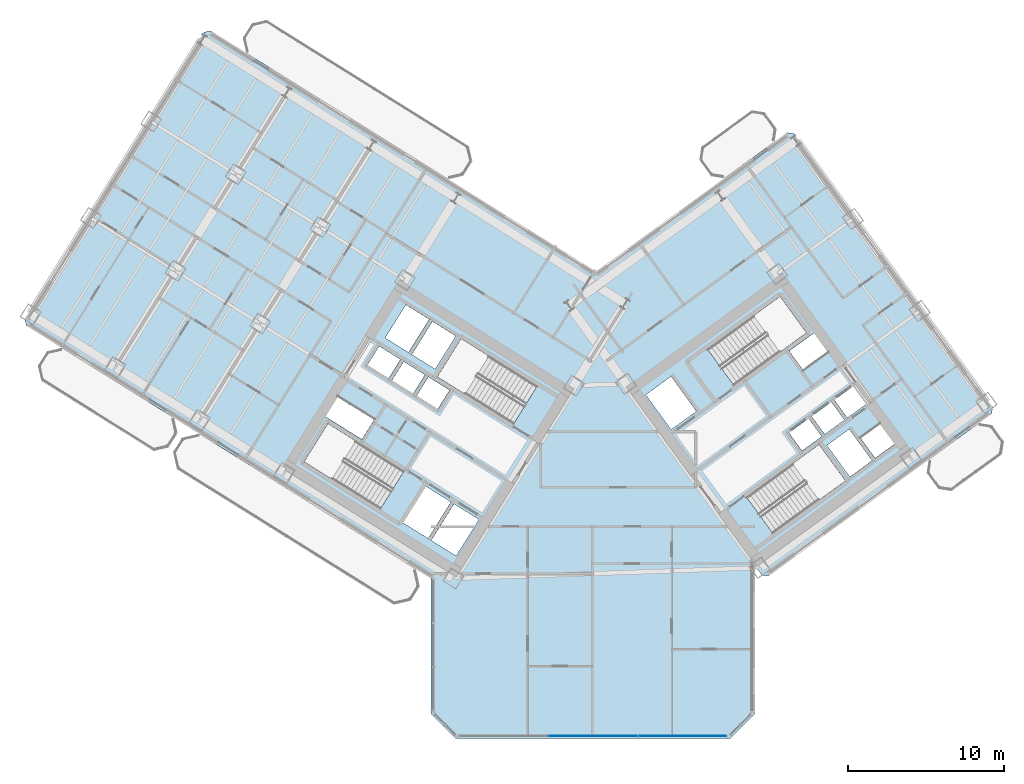
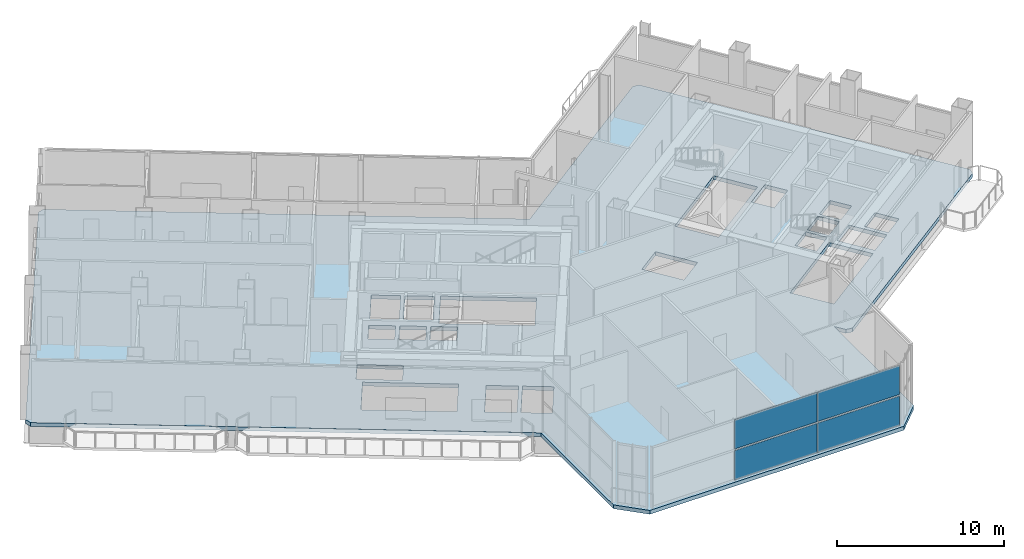
# One storey, part 10 of 22: 4 plates, 1 slab, 1 element without a shape of its own.
"""IFC4 building model written with IfcOpenShell, lengths in metres."""

from ifc_helpers import new_model, si_unit, direction, frame, origin, origin_2d, place, context, subcontext, project, spatial, polyline, rectangle, outline, extrude, source, transform, mapped, material, layer, layer_set, type_object, element, aggregate, save


model = new_model("IFC4")

# Units and contexts
model_context = context("Model", 3, precision=1e-05, world=origin(), true_north=direction((0.0, 1.0)))
body_context = subcontext(model_context, "Body", "Model", "MODEL_VIEW")
ifc_project = project(units=[si_unit("LENGTHUNIT", "METRE"), si_unit("AREAUNIT", "SQUARE_METRE"), si_unit("VOLUMEUNIT", "CUBIC_METRE"), si_unit("PLANEANGLEUNIT", "RADIAN"), si_unit("MASSUNIT", "GRAM", prefix="KILO")], contexts=[model_context])

# Site, building, storey
site_placement = place(None, origin())
site = spatial("IfcSite", under=ifc_project, at=site_placement, CompositionType="ELEMENT")
building_placement = place(site_placement, origin())
building = spatial("IfcBuilding", under=site, at=building_placement, Name="Tlacorven Tower", CompositionType="ELEMENT")
storey_placement = place(building_placement, frame((0.0, 0.0, 71.699951171875)))
storey = spatial("IfcBuildingStorey", under=building, at=storey_placement, Name="L18", CompositionType="ELEMENT", Elevation=71.699951171875)

# Slab
ifc_material_1 = material(Name="Concrete C50/60", Category="concrete")
ifc_layer_1 = layer(ifc_material_1, 0.280029296875)
ifc_layer_set_1 = layer_set([ifc_layer_1], Name="Concrete C50/60")
slab_type = type_object("IfcSlabType", Name="SL-WND-280", PredefinedType="FLOOR", material=ifc_layer_set_1)
slab_placement = place(storey_placement, frame((0.0, 0.0, -0.280029296875)))
element("IfcSlab", 1, at=slab_placement, inside=storey, type_object=slab_type, Name="L18 Boomerang Tower Floor Slab", PredefinedType="FLOOR", context=body_context, shape_type="SweptSolid", body=[
    extrude(outline(polyline([(52.39990234375, 3.39990234375), (50.800048828125, 1.800048828125), (33.199951171875, 1.800048828125), (31.60009765625, 3.39990234375), (31.60009765625, 12.09423828125), (5.62451171875, 28.32568359375), (5.529052734375, 28.739013671875), (17.0390625, 47.15869140625), (17.452392578125, 47.254150390625), (42.19970703125, 31.790283203125), (54.481689453125, 40.713623046875), (54.90087890625, 40.647216796875), (67.66748046875, 23.075439453125), (67.60107421875, 22.656494140625), (53.265380859375, 12.24072265625), (52.846435546875, 12.30712890625), (52.39990234375, 12.921630859375), (52.39990234375, 3.39990234375)]), holes=[polyline([(29.865478515625, 18.979736328125), (24.9892578125, 22.02685546875), (23.463134765625, 19.58447265625), (28.33935546875, 16.537353515625), (29.865478515625, 18.979736328125)]), polyline([(38.4169921875, 24.4375), (33.540771484375, 27.484375), (32.0146484375, 25.0419921875), (36.890869140625, 21.9951171875), (38.4169921875, 24.4375)]), polyline([(51.05908203125, 24.481689453125), (55.7109375, 27.861572265625), (54.01806640625, 30.19140625), (49.3662109375, 26.811767578125), (51.05908203125, 24.481689453125)]), polyline([(53.56298828125, 14.978759765625), (58.21484375, 18.3583984375), (56.52197265625, 20.6884765625), (51.8701171875, 17.30859375), (53.56298828125, 14.978759765625)]), polyline([(34.682373046875, 15.87548828125), (33.088134765625, 16.871826171875), (31.62548828125, 14.531005859375), (33.2197265625, 13.534912109375), (34.682373046875, 15.87548828125)]), polyline([(32.884521484375, 16.9990234375), (31.2392578125, 18.02685546875), (29.77685546875, 15.686279296875), (31.421875, 14.658203125), (32.884521484375, 16.9990234375)]), polyline([(47.0234375, 21.648681640625), (48.6416015625, 22.82421875), (47.019287109375, 25.05712890625), (45.401123046875, 23.881591796875), (47.0234375, 21.648681640625)]), polyline([(33.197265625, 27.65185546875), (31.704833984375, 28.58447265625), (30.3798828125, 26.46435546875), (31.87255859375, 25.53173828125), (33.197265625, 27.65185546875)]), polyline([(31.484375, 28.722412109375), (29.99169921875, 29.655029296875), (28.6669921875, 27.534912109375), (30.159423828125, 26.602294921875), (31.484375, 28.722412109375)]), polyline([(32.794921875, 24.17724609375), (31.43798828125, 25.025146484375), (30.685546875, 23.82080078125), (32.042236328125, 22.972900390625), (32.794921875, 24.17724609375)]), polyline([(31.217529296875, 25.162841796875), (29.860595703125, 26.0107421875), (29.108154296875, 24.806396484375), (30.465087890625, 23.958740234375), (31.217529296875, 25.162841796875)]), polyline([(29.64013671875, 26.1484375), (28.283203125, 26.996337890625), (27.53076171875, 25.792236328125), (28.8876953125, 24.9443359375), (29.64013671875, 26.1484375)]), polyline([(55.427734375, 20.288818359375), (56.68994140625, 21.205810546875), (55.855224609375, 22.354736328125), (54.59326171875, 21.437744140625), (55.427734375, 20.288818359375)]), polyline([(56.884033203125, 21.346923828125), (58.146240234375, 22.263916015625), (57.3115234375, 23.41259765625), (56.04931640625, 22.495849609375), (56.884033203125, 21.346923828125)]), polyline([(58.34033203125, 22.405029296875), (59.602294921875, 23.322021484375), (58.767578125, 24.470703125), (57.505615234375, 23.5537109375), (58.34033203125, 22.405029296875)]), polyline([(58.498779296875, 18.614013671875), (59.922607421875, 19.648681640625), (58.453125, 21.671142578125), (57.029296875, 20.63671875), (58.498779296875, 18.614013671875)]), polyline([(27.96142578125, 22.2919921875), (25.603759765625, 23.76513671875), (24.80908203125, 22.4931640625), (27.16650390625, 21.02001953125), (27.96142578125, 22.2919921875)]), polyline([(55.490478515625, 25.4765625), (57.092529296875, 26.640380859375), (56.210693359375, 27.85400390625), (54.60888671875, 26.690185546875), (55.490478515625, 25.4765625)]), polyline([(60.12109375, 19.817626953125), (61.38330078125, 20.734619140625), (60.45458984375, 22.012939453125), (59.192626953125, 21.095947265625), (60.12109375, 19.817626953125)])]), origin(), (0.0, 0.0, 1.0), 0.280029296875),
])

# Curtain wall, plates
ifc_material_2 = material(Name="Dark solar low-E double glazing in aluminium frame", Category="aluminium")
curtain_wall_type = type_object("IfcCurtainWallType", Name="CW-TWR-LOW", PredefinedType="USERDEFINED", material=ifc_material_2)
curtain_wall_placement = place(storey_placement, origin())
curtain_wall = element("IfcCurtainWall", 2, at=curtain_wall_placement, inside=storey, type_object=curtain_wall_type, Name="L18 CW-TWR-LOW Curtain Wall 100", ObjectType="UNITISED CURTAIN WALL", PredefinedType="USERDEFINED")
ifc_material_3 = material(Name="Dark solar double low-E glazing", Category="glass")
ifc_layer_2 = layer(ifc_material_3, 0.031982421875)
ifc_layer_set_2 = layer_set([ifc_layer_2], Name="Dark solar double low-E glazing")
plate_type = type_object("IfcPlateType", Name="CWP-02", PredefinedType="CURTAIN_PANEL", material=ifc_layer_set_2)
shared_shape_1 = source(origin(), body_context, "Body", "SweptSolid", [
    extrude(rectangle(XDim=5.668701171875, YDim=0.031982421875, at=origin_2d()), origin(), (0.0, 0.0, 1.0), 2.137939453125),
])
plate_1_placement = place(storey_placement, frame((47.73828125, 1.9599609375, 0.06103515625), z_axis=(0.0, 0.0, 1.0), x_axis=(-1.0, 0.0, 0.0)))
plate_1 = element("IfcPlate", 3, at=plate_1_placement, type_object=plate_type, Name="CW-L18-100 Glazing Panel 1", PredefinedType="CURTAIN_PANEL", context=body_context, shape_type="MappedRepresentation", body=[
    mapped(shared_shape_1, transform((0.0, 0.0, 0.0), scale=1.0)),
])
plate_2_placement = place(storey_placement, frame((47.73828125, 1.9599609375, 2.3212890625), z_axis=(0.0, 0.0, 1.0), x_axis=(-1.0, 0.0, 0.0)))
plate_2 = element("IfcPlate", 4, at=plate_2_placement, type_object=plate_type, Name="CW-L18-100 Glazing Panel 2", PredefinedType="CURTAIN_PANEL", context=body_context, shape_type="MappedRepresentation", body=[
    mapped(shared_shape_1, transform((0.0, 0.0, 0.0), scale=1.0)),
])
shared_shape_2 = source(origin(), body_context, "Body", "SweptSolid", [
    extrude(rectangle(XDim=5.703857421875, YDim=0.031982421875, at=origin_2d()), origin(), (0.0, 0.0, 1.0), 2.137939453125),
])
plate_3_placement = place(storey_placement, frame((42.0, 1.9599609375, 0.06103515625), z_axis=(0.0, 0.0, 1.0), x_axis=(-1.0, 0.0, 0.0)))
plate_3 = element("IfcPlate", 5, at=plate_3_placement, type_object=plate_type, Name="CW-L18-100 Glazing Panel 3", PredefinedType="CURTAIN_PANEL", context=body_context, shape_type="MappedRepresentation", body=[
    mapped(shared_shape_2, transform((0.0, 0.0, 0.0), scale=1.0)),
])
plate_4_placement = place(storey_placement, frame((42.0, 1.9599609375, 2.3212890625), z_axis=(0.0, 0.0, 1.0), x_axis=(-1.0, 0.0, 0.0)))
plate_4 = element("IfcPlate", 6, at=plate_4_placement, type_object=plate_type, Name="CW-L18-100 Glazing Panel 4", PredefinedType="CURTAIN_PANEL", context=body_context, shape_type="MappedRepresentation", body=[
    mapped(shared_shape_2, transform((0.0, 0.0, 0.0), scale=1.0)),
])
aggregate(curtain_wall, [plate_1, plate_2, plate_3, plate_4])

save(model, "model.ifc")
